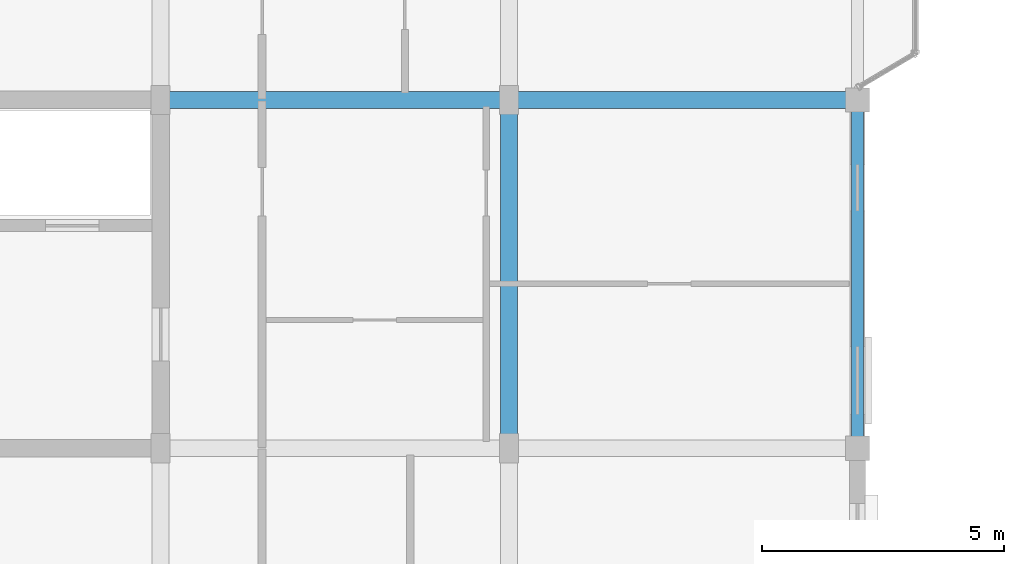
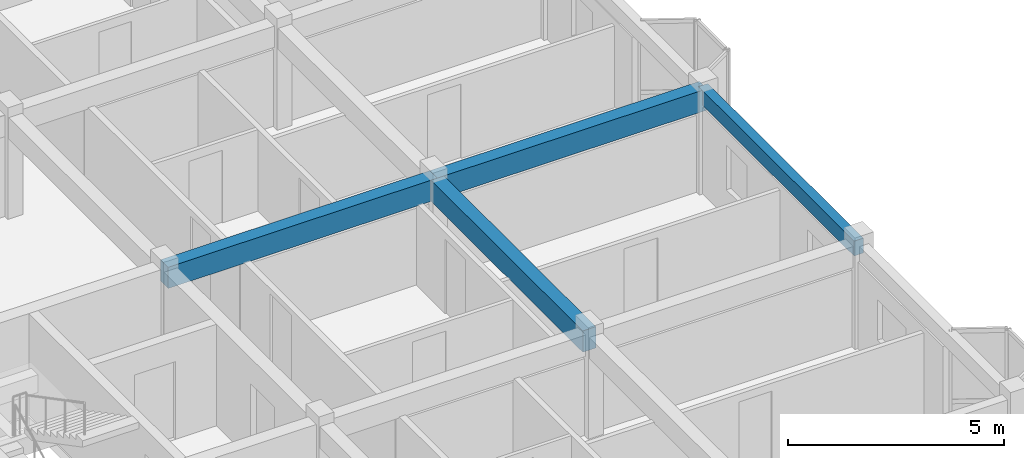
# One storey, part 8 of 70: 4 beams.
"""IFC4 building model written with IfcOpenShell, lengths in metres."""

from ifc_helpers import new_model, si_unit, direction, frame, origin, origin_2d, place, context, subcontext, project, spatial, rectangle, extrude, material, material_profile, profile_set, type_object, element, save


model = new_model("IFC4")

# Units and contexts
model_context = context("Model", 3, precision=1e-05, world=origin(), true_north=direction((0.0, 1.0)))
body_context = subcontext(model_context, "Body", "Model", "MODEL_VIEW")
ifc_project = project(units=[si_unit("LENGTHUNIT", "METRE"), si_unit("AREAUNIT", "SQUARE_METRE"), si_unit("VOLUMEUNIT", "CUBIC_METRE"), si_unit("PLANEANGLEUNIT", "RADIAN"), si_unit("MASSUNIT", "GRAM", prefix="KILO"), si_unit("THERMODYNAMICTEMPERATUREUNIT", "KELVIN"), si_unit("POWERUNIT", "WATT")], contexts=[model_context])

# Site, building, storey
site_placement = place(None, origin())
site = spatial("IfcSite", under=ifc_project, at=site_placement, CompositionType="ELEMENT")
building_placement = place(site_placement, origin())
building = spatial("IfcBuilding", under=site, at=building_placement, Name="Tavuni Mirador Residences", CompositionType="ELEMENT")
storey_placement = place(building_placement, frame((0.0, 0.0, 23.39990234375)))
storey = spatial("IfcBuildingStorey", under=building, at=storey_placement, Name="L07", CompositionType="ELEMENT", Elevation=23.39990234375)

# Beams
ifc_material = material(Name="Precast concrete C40/50", Category="concrete")
ifc_material_profile_1 = material_profile(ifc_material, rectangle(XDim=0.35009765625, YDim=0.60009765625, at=origin_2d()), Name="PC 350x600", Category="concrete")
ifc_profile_set_1 = profile_set([ifc_material_profile_1], Name="Precast concrete C40/50")
beam_type_1 = type_object("IfcBeamType", Name="BT-B600", PredefinedType="BEAM", material=ifc_profile_set_1)
for number, where, z_axis, x_axis, name in (
    (1, (18.0, 21.60009765625, 2.570068359375), (1.0, 0.0, 0.0), (0.0, 1.0, 0.0), "BMX-BLK-A-L07-02-02"),
    (2, (25.199951171875, 21.60009765625, 2.570068359375), (1.0, 0.0, 0.0), (0.0, 1.0, 0.0), "BMX-BLK-A-L07-03-02"),
):
    element("IfcBeam", number, at=place(storey_placement, frame(where, z_axis=z_axis, x_axis=x_axis)), inside=storey, type_object=beam_type_1, Name=name, PredefinedType="BEAM", context=body_context, shape_type="SweptSolid", body=[
        extrude(rectangle(XDim=0.35009765625, YDim=0.60009765625, at=origin_2d()), origin(), (0.0, 0.0, 1.0), 7.199951171875),
    ])
beam_1_placement = place(storey_placement, frame((25.199951171875, 14.39990234375, 2.570068359375), z_axis=(0.0, 1.0, 0.0), x_axis=(-1.0, 0.0, 0.0)))
element("IfcBeam", 3, at=beam_1_placement, inside=storey, type_object=beam_type_1, Name="BMY-BLK-A-L07-03-01", PredefinedType="BEAM", context=body_context, shape_type="SweptSolid", body=[
    extrude(rectangle(XDim=0.35009765625, YDim=0.60009765625, at=origin_2d()), origin(), (0.0, 0.0, 1.0), 7.2001953125),
])
ifc_material_profile_2 = material_profile(ifc_material, rectangle(XDim=0.25, YDim=0.419921875, at=origin_2d()), Name="PC 250x420", Category="concrete")
ifc_profile_set_2 = profile_set([ifc_material_profile_2], Name="Precast concrete C40/50")
beam_type_2 = type_object("IfcBeamType", Name="BT-SP420", PredefinedType="SPANDREL", material=ifc_profile_set_2)
beam_2_placement = place(storey_placement, frame((32.39990234375, 14.39990234375, 2.66015625), z_axis=(0.0, 1.0, 0.0), x_axis=(-1.0, 0.0, 0.0)))
element("IfcBeam", 4, at=beam_2_placement, inside=storey, type_object=beam_type_2, Name="BMY-BLK-A-L07-04-01", PredefinedType="SPANDREL", context=body_context, shape_type="SweptSolid", body=[
    extrude(rectangle(XDim=0.25, YDim=0.419921875, at=origin_2d()), origin(), (0.0, 0.0, 1.0), 7.2001953125),
])

save(model, "model.ifc")
